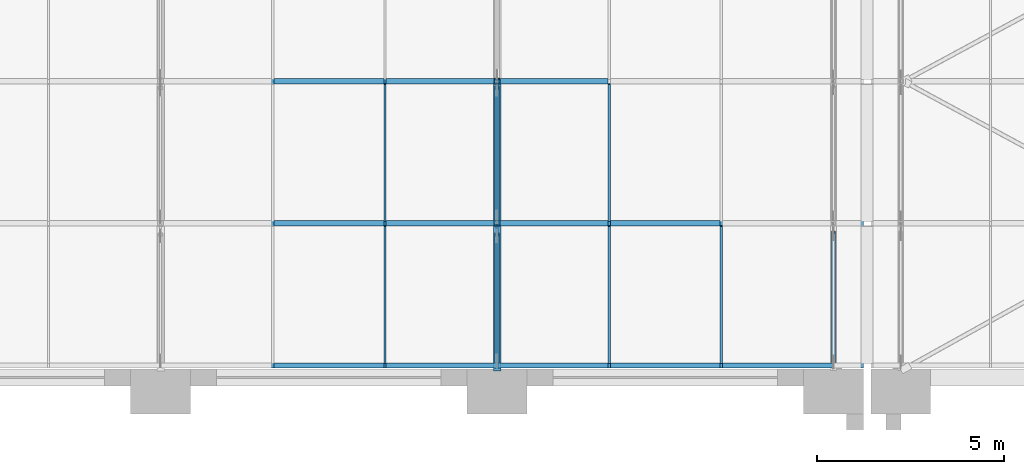
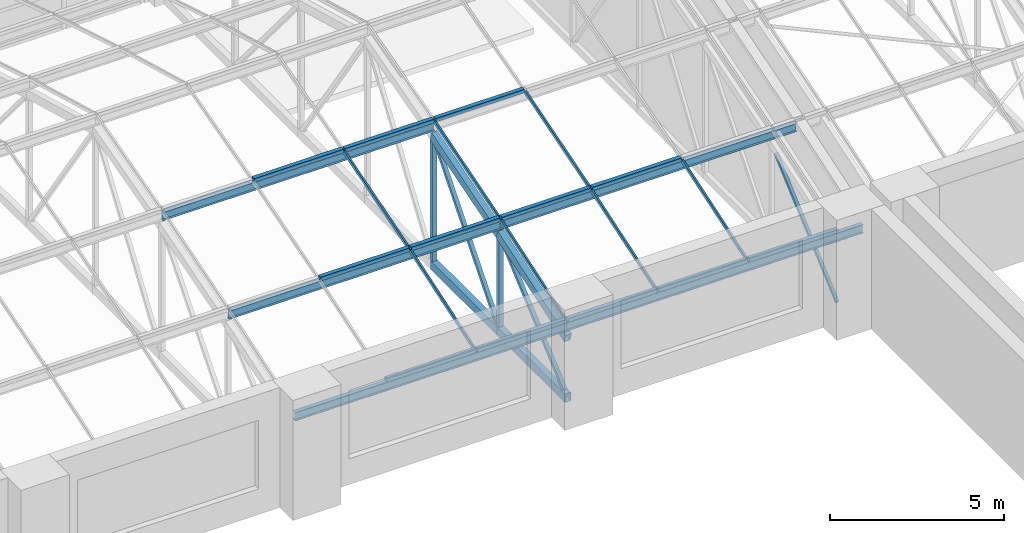
# One storey, part 21 of 82: 33 members, 1 element without a shape of its own.
"""IFC4 building model written with IfcOpenShell, lengths in metres."""

import ifcopenshell
import ifcopenshell.guid

model = None  # the IFC model being written
_history = None  # IfcOwnerHistory: only IFC2X3 demands one
_inside = {}  # id of a spatial element -> (the spatial element, [elements in it])
_under = {}  # id of a project, library or spatial element -> (it, [spatial elements below it])
_declared = {}  # id of a project -> (the project, [libraries it declares])
_typed = {}  # id of a type object -> (the type object, [elements of that type])
_made_of = {}  # id of a material, layer set ... -> (it, [elements and type objects made of it])


def new_model(schema):
    """Start an empty IFC model of exactly this schema.

    Asked for "IFC4X3", IfcOpenShell would pick the latest addendum, in which some entities
    have other attributes; the version numbers below select the first issue.
    IFC2X3 requires an IfcOwnerHistory on every rooted entity: one is made here for all.
    """
    global model, _history
    if schema == "IFC4X3":
        model = ifcopenshell.file(schema_version=(4, 3, 0, 0))
    else:
        model = ifcopenshell.file(schema=schema)
    _inside.clear()
    _under.clear()
    _declared.clear()
    _typed.clear()
    _made_of.clear()
    _history = None
    if model.schema == "IFC2X3":
        org = make("IfcOrganization", Name="unknown")
        user = make(
            "IfcPersonAndOrganization",
            ThePerson=make("IfcPerson", FamilyName="unknown"),
            TheOrganization=org,
        )
        app = make(
            "IfcApplication",
            ApplicationDeveloper=org,
            Version="unknown",
            ApplicationFullName="unknown",
            ApplicationIdentifier="unknown",
        )
        _history = make(
            "IfcOwnerHistory",
            OwningUser=user,
            OwningApplication=app,
            ChangeAction="ADDED",
            CreationDate=0,
        )
    return model


def make(cls, **values):
    """One entity of the class cls with the attributes given. An attribute that is None is left unset."""
    return model.create_entity(
        cls, **{name: value for name, value in values.items() if value is not None}
    )


def rooted(cls, **values):
    """An entity with a GlobalId (a new one), such as an element, a storey or a relation."""
    return make(cls, GlobalId=ifcopenshell.guid.new(), OwnerHistory=_history, **values)


def si_unit(unit_type, name, prefix=None):
    """IfcSIUnit, for example si_unit("LENGTHUNIT", "METRE", prefix="MILLI")."""
    return make("IfcSIUnit", UnitType=unit_type, Prefix=prefix, Name=name)


def assignment(units):
    """IfcUnitAssignment: the units of a project."""
    return None if units is None else make("IfcUnitAssignment", Units=units)


def point(xyz):
    """IfcCartesianPoint."""
    return None if xyz is None else make("IfcCartesianPoint", Coordinates=xyz)


def direction(xyz):
    """IfcDirection."""
    return None if xyz is None else make("IfcDirection", DirectionRatios=xyz)


def frame(location, z_axis=None, x_axis=None):
    """IfcAxis2Placement3D, a coordinate frame: its origin and axes. An axis left out is left unset."""
    return make(
        "IfcAxis2Placement3D",
        Location=point(location),
        Axis=direction(z_axis),
        RefDirection=direction(x_axis),
    )


def frame_2d(location, x_axis=None):
    """IfcAxis2Placement2D, a coordinate frame in the plane: its origin and x axis."""
    return make(
        "IfcAxis2Placement2D", Location=point(location), RefDirection=direction(x_axis)
    )


def origin():
    """The frame at (0, 0, 0) with its axes left unset."""
    return frame((0.0, 0.0, 0.0))


def origin_2d():
    """The frame at (0, 0) in the plane with its x axis left unset."""
    return frame_2d((0.0, 0.0))


def place(relative_to, where):
    """IfcLocalPlacement: puts the frame where relative to a parent placement (None: the world)."""
    return make(
        "IfcLocalPlacement", PlacementRelTo=relative_to, RelativePlacement=where
    )


def context(
    kind, dimensions, precision=None, world=None, true_north=None, identifier=None
):
    """IfcGeometricRepresentationContext, for example the 3D "Model" context."""
    return make(
        "IfcGeometricRepresentationContext",
        ContextIdentifier=identifier,
        ContextType=kind,
        CoordinateSpaceDimension=dimensions,
        Precision=precision,
        WorldCoordinateSystem=world,
        TrueNorth=true_north,
    )


def subcontext(parent, identifier, kind, view, scale=None):
    """IfcGeometricRepresentationSubContext, for example "Body" below "Model"."""
    return make(
        "IfcGeometricRepresentationSubContext",
        ContextIdentifier=identifier,
        ContextType=kind,
        ParentContext=parent,
        TargetScale=scale,
        TargetView=view,
    )


def project(units=None, contexts=None):
    """IfcProject with its units and contexts."""
    return rooted(
        "IfcProject",
        Name="project",
        RepresentationContexts=contexts,
        UnitsInContext=assignment(units),
    )


def spatial(cls, under=None, at=None, **own):
    """A site, building, storey or space (cls), placed at a placement, below another one or the project."""
    s = rooted(cls, ObjectPlacement=at, **own)
    if under is not None:
        _under.setdefault(under.id(), (under, []))[1].append(s)
    return s


def profile(cls, at=None, kind="AREA", **sizes):
    """A parametric profile (cls). Its sizes go by their IFC names, for example OverallWidth=200.0."""
    return make(cls, ProfileType=kind, Position=at, **sizes)


def rectangle(**sizes):
    """IfcRectangleProfileDef."""
    return profile("IfcRectangleProfileDef", **sizes)


def hollow_rectangle(**sizes):
    """IfcRectangleHollowProfileDef."""
    return profile("IfcRectangleHollowProfileDef", **sizes)


def i_section(**sizes):
    """IfcIShapeProfileDef."""
    return profile("IfcIShapeProfileDef", **sizes)


def extrude(swept, where, along, depth):
    """IfcExtrudedAreaSolid: the profile swept, set in the frame where, extruded along a direction by depth."""
    return make(
        "IfcExtrudedAreaSolid",
        SweptArea=swept,
        Position=where,
        ExtrudedDirection=direction(along),
        Depth=depth,
    )


def shape(context_of_items, identifier, shape_type, items):
    """IfcShapeRepresentation: the items that make up one representation, for example the "Body"."""
    return make(
        "IfcShapeRepresentation",
        ContextOfItems=context_of_items,
        RepresentationIdentifier=identifier,
        RepresentationType=shape_type,
        Items=items,
    )


def material(Name=None, Category=None):
    """IfcMaterial."""
    return make("IfcMaterial", Name=Name, Category=Category)


def material_profile(
    of_material, cross_section, Name=None, Category=None, Priority=None
):
    """IfcMaterialProfile: a cross section and its material."""
    return make(
        "IfcMaterialProfile",
        Name=Name,
        Material=of_material,
        Profile=cross_section,
        Priority=Priority,
        Category=Category,
    )


def profile_set(profiles, Name=None, composite=None):
    """IfcMaterialProfileSet."""
    return make(
        "IfcMaterialProfileSet",
        Name=Name,
        MaterialProfiles=profiles,
        CompositeProfile=composite,
    )


def made_of(thing, what):
    """Note that an element or type object is made of a material, layer set ...; save() writes the relation."""
    if what is not None:
        _made_of.setdefault(what.id(), (what, []))[1].append(thing)
    return thing


def type_object(cls, material=None, **own):
    """A type object (cls), such as IfcWallType, which elements share."""
    return made_of(rooted(cls, **own), material)


def element(
    cls,
    number,
    at=None,
    inside=None,
    cuts=None,
    type_object=None,
    material=None,
    context=None,
    identifier="Body",
    shape_type=None,
    held_by="IfcProductDefinitionShape",
    body=None,
    shapes=None,
    **own,
):
    """One element of the class cls, such as IfcWall. Its Tag is "e" and its number.

    at: its placement. inside: the storey or other place that contains it. cuts: it is an
    opening in that element (IfcRelVoidsElement). A single representation is given by context,
    identifier, shape_type and body (its items); several are given by shapes. held_by: the class
    of the entity that holds the representations. save() writes the other relations.
    """
    e = rooted(cls, Tag="e%d" % number, ObjectPlacement=at, **own)
    if body is not None:
        shapes = [shape(context, identifier, shape_type, body)]
    if shapes is not None:
        e.Representation = make(held_by, Representations=shapes)
    if inside is not None:
        _inside.setdefault(inside.id(), (inside, []))[1].append(e)
    if cuts is not None:
        rooted(
            "IfcRelVoidsElement", RelatingBuildingElement=cuts, RelatedOpeningElement=e
        )
    if type_object is not None:
        _typed.setdefault(type_object.id(), (type_object, []))[1].append(e)
    return made_of(e, material)


def aggregate(whole, parts):
    """IfcRelAggregates: a whole, such as a stair, and the parts it consists of."""
    return rooted("IfcRelAggregates", RelatingObject=whole, RelatedObjects=parts)


def save(model, path):
    """Write the relations noted so far, then the file.

    IfcRelAggregates (storeys below a building ...), IfcRelContainedInSpatialStructure (elements
    in a storey), IfcRelDefinesByType, IfcRelAssociatesMaterial and IfcRelDeclares: one each for
    every whole, place, type object, material and project.
    """
    for whole, parts in _under.values():
        aggregate(whole, parts)
    for where, things in _inside.values():
        rooted(
            "IfcRelContainedInSpatialStructure",
            RelatedElements=things,
            RelatingStructure=where,
        )
    for kind, things in _typed.values():
        rooted("IfcRelDefinesByType", RelatedObjects=things, RelatingType=kind)
    for what, things in _made_of.values():
        rooted("IfcRelAssociatesMaterial", RelatedObjects=things, RelatingMaterial=what)
    for by, libraries in _declared.values():
        rooted("IfcRelDeclares", RelatingContext=by, RelatedDefinitions=libraries)
    model.write(path)


model = new_model("IFC4")

# Units and contexts
model_context = context("Model", 3, precision=1e-05, world=origin(), true_north=direction((0.0, 1.0)))
body_context = subcontext(model_context, "Body", "Model", "MODEL_VIEW")
ifc_project = project(units=[si_unit("LENGTHUNIT", "METRE"), si_unit("AREAUNIT", "SQUARE_METRE"), si_unit("VOLUMEUNIT", "CUBIC_METRE"), si_unit("PLANEANGLEUNIT", "RADIAN"), si_unit("MASSUNIT", "GRAM", prefix="KILO")], contexts=[model_context])

# Site, building, storey
site_placement = place(None, origin())
site = spatial("IfcSite", under=ifc_project, at=site_placement, CompositionType="ELEMENT")
building_placement = place(site_placement, origin())
building = spatial("IfcBuilding", under=site, at=building_placement, Name="Aravalli Gate Trade Fair Centre", CompositionType="ELEMENT")
storey_placement = place(building_placement, frame((0.0, 0.0, 19.199951171875)))
storey = spatial("IfcBuildingStorey", under=building, at=storey_placement, Name="L04", CompositionType="ELEMENT", Elevation=19.199951171875)

# Members
ifc_material_1 = material(Name="Steel E350", Category="steel")
ifc_material_profile_1 = material_profile(ifc_material_1, i_section(OverallWidth=0.139892578125, OverallDepth=0.300048828125, WebThickness=0.0078125, FlangeThickness=0.01318359375, at=origin_2d()), Name="ISMB 300")
ifc_profile_set_1 = profile_set([ifc_material_profile_1], Name="Steel E350")
member_type_1 = type_object("IfcMemberType", Name="ISMB 300 roof purlin", PredefinedType="PURLIN", material=ifc_profile_set_1)
for number, where, z_axis, x_axis, name in (
    (1, (87.0, 109.699951171875, 2.60302734375), (1.0, 0.0, 0.0), (0.0, 1.0, 0.0), "Vault purlin 10-11 F0"),
    (2, (87.0, 113.5, 3.851318359375), (1.0, 0.0, 0.0), (0.0, 1.0, 0.0), "Vault purlin 10-11 F1"),
    (3, (87.0, 117.300048828125, 4.999267578125), (1.0, 0.0, 0.0), (0.0, 1.0, 0.0), "Vault purlin 10-11 F2"),
):
    element("IfcMember", number, at=place(storey_placement, frame(where, z_axis=z_axis, x_axis=x_axis)), inside=storey, type_object=member_type_1, Name=name, PredefinedType="PURLIN", context=body_context, shape_type="SweptSolid", body=[
        extrude(i_section(OverallWidth=0.139892578125, OverallDepth=0.300048828125, WebThickness=0.0078125, FlangeThickness=0.01318359375, at=origin_2d()), origin(), (0.0, 0.0, 1.0), 9.0),
    ])
for number, where, z_axis, x_axis, name in (
    (4, (96.0, 109.699951171875, 2.60302734375), (1.0, 0.0, 0.0), (0.0, 1.0, 0.0), "Vault purlin 11-12 F0"),
    (5, (96.0, 113.5, 3.851318359375), (1.0, 0.0, 0.0), (0.0, 1.0, 0.0), "Vault purlin 11-12 F1"),
):
    element("IfcMember", number, at=place(storey_placement, frame(where, z_axis=z_axis, x_axis=x_axis)), inside=storey, type_object=member_type_1, Name=name, PredefinedType="PURLIN", context=body_context, shape_type="SweptSolid", body=[
        extrude(i_section(OverallWidth=0.139892578125, OverallDepth=0.300048828125, WebThickness=0.0078125, FlangeThickness=0.01318359375, at=origin_2d()), origin(), (0.0, 0.0, 1.0), 9.800048828125),
    ])
ifc_material_profile_2 = material_profile(ifc_material_1, hollow_rectangle(XDim=0.199951171875, YDim=0.300048828125, WallThickness=0.011962890625, at=origin_2d()), Name="RHS 300x200x12")
ifc_profile_set_2 = profile_set([ifc_material_profile_2], Name="Steel E350")
member_type_2 = type_object("IfcMemberType", Name="RHS 300x200x12 CT1 truss chord", PredefinedType="CHORD", material=ifc_profile_set_2)
member_1_placement = place(storey_placement, frame((96.0, 109.60009765625, 2.2392578125), z_axis=(0.0, 0.949918822061, 0.312496770373), x_axis=(-1.0, 0.0, 0.0)))
element("IfcMember", 6, at=member_1_placement, inside=storey, type_object=member_type_2, Name="Concourse vault truss CT1 line 11 top chord T1", PredefinedType="CHORD", context=body_context, shape_type="SweptSolid", body=[
    extrude(hollow_rectangle(XDim=0.199951171875, YDim=0.300048828125, WallThickness=0.011962890625, at=origin_2d()), origin(), (0.0, 0.0, 1.0), 4.10546875),
])
member_2_placement = place(storey_placement, frame((96.0, 109.60009765625, 0.150146484375), z_axis=(0.0, 1.0, 0.0), x_axis=(-1.0, 0.0, 0.0)))
element("IfcMember", 7, at=member_2_placement, inside=storey, type_object=member_type_2, Name="Concourse vault truss CT1 line 11 bottom chord B1", PredefinedType="CHORD", context=body_context, shape_type="SweptSolid", body=[
    extrude(hollow_rectangle(XDim=0.199951171875, YDim=0.300048828125, WallThickness=0.011962890625, at=origin_2d()), origin(), (0.0, 0.0, 1.0), 3.89990234375),
])
member_3_placement = place(storey_placement, frame((96.0, 113.5, 3.5234375), z_axis=(0.0, 0.957138110877, 0.289631898634), x_axis=(-1.0, 0.0, 0.0)))
element("IfcMember", 8, at=member_3_placement, inside=storey, type_object=member_type_2, Name="Concourse vault truss CT1 line 11 top chord T2", PredefinedType="CHORD", context=body_context, shape_type="SweptSolid", body=[
    extrude(hollow_rectangle(XDim=0.199951171875, YDim=0.300048828125, WallThickness=0.011962890625, at=origin_2d()), origin(), (0.0, 0.0, 1.0), 3.97021484375),
])
member_4_placement = place(storey_placement, frame((96.0, 113.5, 0.150146484375), z_axis=(0.0, 1.0, 0.0), x_axis=(-1.0, 0.0, 0.0)))
element("IfcMember", 9, at=member_4_placement, inside=storey, type_object=member_type_2, Name="Concourse vault truss CT1 line 11 bottom chord B2", PredefinedType="CHORD", context=body_context, shape_type="SweptSolid", body=[
    extrude(hollow_rectangle(XDim=0.199951171875, YDim=0.300048828125, WallThickness=0.011962890625, at=origin_2d()), origin(), (0.0, 0.0, 1.0), 3.800048828125),
])
ifc_material_profile_3 = material_profile(ifc_material_1, hollow_rectangle(XDim=0.10009765625, YDim=0.10009765625, WallThickness=0.006103515625, at=origin_2d()), Name="SHS 100x100x6")
ifc_profile_set_3 = profile_set([ifc_material_profile_3], Name="Steel E350")
member_type_3 = type_object("IfcMemberType", Name="SHS 100x100x6 CT2 truss diagonal", PredefinedType="BRACE", material=ifc_profile_set_3)
member_5_placement = place(storey_placement, frame((105.0, 109.742431640625, 0.25), z_axis=(0.0, 0.751512751569, 0.659718564411), x_axis=(-1.0, 0.0, 0.0)))
element("IfcMember", 10, at=member_5_placement, inside=storey, type_object=member_type_3, Name="Concourse vault truss CT2 line 12 diagonal D1", PredefinedType="BRACE", context=body_context, shape_type="SweptSolid", body=[
    extrude(hollow_rectangle(XDim=0.10009765625, YDim=0.10009765625, WallThickness=0.006103515625, at=origin_2d()), origin(), (0.0, 0.0, 1.0), 4.680908203125),
])
ifc_material_profile_4 = material_profile(ifc_material_1, hollow_rectangle(XDim=0.125, YDim=0.125, WallThickness=0.006103515625, at=origin_2d()), Name="SHS 125x125x6")
ifc_profile_set_4 = profile_set([ifc_material_profile_4], Name="Steel E350")
member_type_4 = type_object("IfcMemberType", Name="SHS 125x125x6 CT1 truss diagonal", PredefinedType="BRACE", material=ifc_profile_set_4)
member_6_placement = place(storey_placement, frame((96.0, 109.7734375, 0.300048828125), z_axis=(0.0, 0.756430814482, 0.654073713661), x_axis=(-1.0, 0.0, 0.0)))
element("IfcMember", 11, at=member_6_placement, inside=storey, type_object=member_type_4, Name="Concourse vault truss CT1 line 11 diagonal D1", PredefinedType="BRACE", context=body_context, shape_type="SweptSolid", body=[
    extrude(hollow_rectangle(XDim=0.125, YDim=0.125, WallThickness=0.006103515625, at=origin_2d()), origin(), (0.0, 0.0, 1.0), 4.53662109375),
])
member_7_placement = place(storey_placement, frame((96.0, 113.6259765625, 0.300048828125), z_axis=(0.0, 0.643253159982, 0.765653558845), x_axis=(-1.0, 0.0, 0.0)))
element("IfcMember", 12, at=member_7_placement, inside=storey, type_object=member_type_4, Name="Concourse vault truss CT1 line 11 diagonal D2", PredefinedType="BRACE", context=body_context, shape_type="SweptSolid", body=[
    extrude(hollow_rectangle(XDim=0.125, YDim=0.125, WallThickness=0.006103515625, at=origin_2d()), origin(), (0.0, 0.0, 1.0), 5.437255859375),
])
ifc_material_profile_5 = material_profile(ifc_material_1, hollow_rectangle(XDim=0.14990234375, YDim=0.14990234375, WallThickness=0.006103515625, at=origin_2d()), Name="SHS 150x150x6")
ifc_profile_set_5 = profile_set([ifc_material_profile_5], Name="Steel E350")
member_type_5 = type_object("IfcMemberType", Name="SHS 150x150x6 CT1 truss post", PredefinedType="POST", material=ifc_profile_set_5)
member_8_placement = place(storey_placement, frame((96.0, 113.5, 0.300048828125), z_axis=(0.0, 0.0, 1.0), x_axis=(1.0, 0.0, 0.0)))
element("IfcMember", 13, at=member_8_placement, inside=storey, type_object=member_type_5, Name="Concourse vault truss CT1 line 11 post V1", PredefinedType="POST", context=body_context, shape_type="SweptSolid", body=[
    extrude(hollow_rectangle(XDim=0.14990234375, YDim=0.14990234375, WallThickness=0.006103515625, at=origin_2d()), origin(), (0.0, 0.0, 1.0), 3.064208984375),
])
member_9_placement = place(storey_placement, frame((96.0, 117.300048828125, 0.300048828125), z_axis=(0.0, 0.0, 1.0), x_axis=(1.0, 0.0, 0.0)))
element("IfcMember", 14, at=member_9_placement, inside=storey, type_object=member_type_5, Name="Concourse vault truss CT1 line 11 post V2", PredefinedType="POST", context=body_context, shape_type="SweptSolid", body=[
    extrude(hollow_rectangle(XDim=0.14990234375, YDim=0.14990234375, WallThickness=0.006103515625, at=origin_2d()), origin(), (0.0, 0.0, 1.0), 4.216552734375),
])
ifc_material_2 = material(Name="Aluminium", Category="aluminium")
ifc_material_profile_6 = material_profile(ifc_material_2, rectangle(XDim=0.139892578125, YDim=0.1201171875, at=origin_2d()), Name="Vault fold cap 140 x 120")
ifc_profile_set_6 = profile_set([ifc_material_profile_6], Name="Aluminium")
member_type_6 = type_object("IfcMemberType", Name="Vault fold cap 140 x 120", PredefinedType="USERDEFINED", material=ifc_profile_set_6)
for number, where, z_axis, x_axis, name in (
    (15, (90.030029296875, 109.699951171875, 2.81298828125), (1.0, 0.0, 0.0), (0.0, 1.0, 0.0), "Vault fold cap w26.0"),
    (16, (90.030029296875, 113.5, 4.061279296875), (1.0, 0.0, 0.0), (0.0, 1.0, 0.0), "Vault fold cap w26.1"),
    (17, (90.030029296875, 117.300048828125, 5.209228515625), (1.0, 0.0, 0.0), (0.0, 1.0, 0.0), "Vault fold cap w26.2"),
    (18, (93.030029296875, 109.699951171875, 2.81298828125), (1.0, 0.0, 0.0), (0.0, 1.0, 0.0), "Vault fold cap w27.0"),
    (19, (93.030029296875, 113.5, 4.061279296875), (1.0, 0.0, 0.0), (0.0, 1.0, 0.0), "Vault fold cap w27.1"),
    (20, (93.030029296875, 117.300048828125, 5.209228515625), (1.0, 0.0, 0.0), (0.0, 1.0, 0.0), "Vault fold cap w27.2"),
    (21, (96.030029296875, 109.699951171875, 2.81298828125), (1.0, 0.0, 0.0), (0.0, 1.0, 0.0), "Vault fold cap w28.0"),
    (22, (96.030029296875, 113.5, 4.061279296875), (1.0, 0.0, 0.0), (0.0, 1.0, 0.0), "Vault fold cap w28.1"),
    (23, (96.030029296875, 117.300048828125, 5.209228515625), (1.0, 0.0, 0.0), (0.0, 1.0, 0.0), "Vault fold cap w28.2"),
    (24, (99.030029296875, 109.699951171875, 2.81298828125), (1.0, 0.0, 0.0), (0.0, 1.0, 0.0), "Vault fold cap w29.0"),
    (25, (99.030029296875, 113.5, 4.061279296875), (1.0, 0.0, 0.0), (0.0, 1.0, 0.0), "Vault fold cap w29.1"),
    (26, (102.030029296875, 109.699951171875, 2.81298828125), (1.0, 0.0, 0.0), (0.0, 1.0, 0.0), "Vault fold cap w30.0"),
):
    element("IfcMember", number, at=place(storey_placement, frame(where, z_axis=z_axis, x_axis=x_axis)), inside=storey, type_object=member_type_6, Name=name, ObjectType="FOLD CAP", PredefinedType="USERDEFINED", context=body_context, shape_type="SweptSolid", body=[
        extrude(rectangle(XDim=0.139892578125, YDim=0.1201171875, at=origin_2d()), origin(), (0.0, 0.0, 1.0), 2.93994140625),
    ])

# Curtain wall, members
ifc_material_3 = material(Name="Aluminium and glass", Category="aluminium")
curtain_wall_type = type_object("IfcCurtainWallType", Name="Vault curtain wall, sloped glazing", PredefinedType="NOTDEFINED", material=ifc_material_3)
curtain_wall_placement = place(storey_placement, origin())
curtain_wall = element("IfcCurtainWall", 27, at=curtain_wall_placement, inside=storey, type_object=curtain_wall_type, Name="Vault curtain wall w", PredefinedType="NOTDEFINED")
ifc_material_profile_7 = material_profile(ifc_material_2, rectangle(XDim=0.06005859375, YDim=0.1201171875, at=origin_2d()), Name="Vault glazing bar 60 x 120")
ifc_profile_set_7 = profile_set([ifc_material_profile_7], Name="Aluminium")
member_type_7 = type_object("IfcMemberType", Name="Vault glazing bar 60 x 120", PredefinedType="USERDEFINED", material=ifc_profile_set_7)
member_10_placement = place(storey_placement, frame((93.0, 109.77001953125, 2.81005859375), z_axis=(0.0, 0.949930492103, 0.31246129388), x_axis=(-1.0, 0.0, 0.0)))
member_10 = element("IfcMember", 28, at=member_10_placement, type_object=member_type_7, Name="Vault glazing bar w27.1", ObjectType="GLAZING BAR", PredefinedType="USERDEFINED", context=body_context, shape_type="SweptSolid", body=[
    extrude(rectangle(XDim=0.06005859375, YDim=0.1201171875, at=origin_2d()), origin(), (0.0, 0.0, 1.0), 3.852783203125),
])
member_11_placement = place(storey_placement, frame((93.0, 113.570068359375, 4.05859375), z_axis=(0.0, 0.957125834694, 0.289672464279), x_axis=(-1.0, 0.0, 0.0)))
member_11 = element("IfcMember", 29, at=member_11_placement, type_object=member_type_7, Name="Vault glazing bar w27.2", ObjectType="GLAZING BAR", PredefinedType="USERDEFINED", context=body_context, shape_type="SweptSolid", body=[
    extrude(rectangle(XDim=0.06005859375, YDim=0.1201171875, at=origin_2d()), origin(), (0.0, 0.0, 1.0), 3.823974609375),
])
member_12_placement = place(storey_placement, frame((96.0, 109.77001953125, 2.81005859375), z_axis=(0.0, 0.949930492103, 0.31246129388), x_axis=(-1.0, 0.0, 0.0)))
member_12 = element("IfcMember", 30, at=member_12_placement, type_object=member_type_7, Name="Vault glazing bar w28.1", ObjectType="GLAZING BAR", PredefinedType="USERDEFINED", context=body_context, shape_type="SweptSolid", body=[
    extrude(rectangle(XDim=0.06005859375, YDim=0.1201171875, at=origin_2d()), origin(), (0.0, 0.0, 1.0), 3.852783203125),
])
member_13_placement = place(storey_placement, frame((96.0, 113.570068359375, 4.05859375), z_axis=(0.0, 0.957125834694, 0.289672464279), x_axis=(-1.0, 0.0, 0.0)))
member_13 = element("IfcMember", 31, at=member_13_placement, type_object=member_type_7, Name="Vault glazing bar w28.2", ObjectType="GLAZING BAR", PredefinedType="USERDEFINED", context=body_context, shape_type="SweptSolid", body=[
    extrude(rectangle(XDim=0.06005859375, YDim=0.1201171875, at=origin_2d()), origin(), (0.0, 0.0, 1.0), 3.823974609375),
])
member_14_placement = place(storey_placement, frame((99.0, 109.77001953125, 2.81005859375), z_axis=(0.0, 0.949930492103, 0.31246129388), x_axis=(-1.0, 0.0, 0.0)))
member_14 = element("IfcMember", 32, at=member_14_placement, type_object=member_type_7, Name="Vault glazing bar w29.1", ObjectType="GLAZING BAR", PredefinedType="USERDEFINED", context=body_context, shape_type="SweptSolid", body=[
    extrude(rectangle(XDim=0.06005859375, YDim=0.1201171875, at=origin_2d()), origin(), (0.0, 0.0, 1.0), 3.852783203125),
])
member_15_placement = place(storey_placement, frame((99.0, 113.570068359375, 4.05859375), z_axis=(0.0, 0.957125834694, 0.289672464279), x_axis=(-1.0, 0.0, 0.0)))
member_15 = element("IfcMember", 33, at=member_15_placement, type_object=member_type_7, Name="Vault glazing bar w29.2", ObjectType="GLAZING BAR", PredefinedType="USERDEFINED", context=body_context, shape_type="SweptSolid", body=[
    extrude(rectangle(XDim=0.06005859375, YDim=0.1201171875, at=origin_2d()), origin(), (0.0, 0.0, 1.0), 3.823974609375),
])
member_16_placement = place(storey_placement, frame((102.0, 109.77001953125, 2.81005859375), z_axis=(0.0, 0.949930492103, 0.31246129388), x_axis=(-1.0, 0.0, 0.0)))
member_16 = element("IfcMember", 34, at=member_16_placement, type_object=member_type_7, Name="Vault glazing bar w30.1", ObjectType="GLAZING BAR", PredefinedType="USERDEFINED", context=body_context, shape_type="SweptSolid", body=[
    extrude(rectangle(XDim=0.06005859375, YDim=0.1201171875, at=origin_2d()), origin(), (0.0, 0.0, 1.0), 3.852783203125),
])
aggregate(curtain_wall, [member_10, member_11, member_12, member_13, member_14, member_15, member_16])

save(model, "model.ifc")
